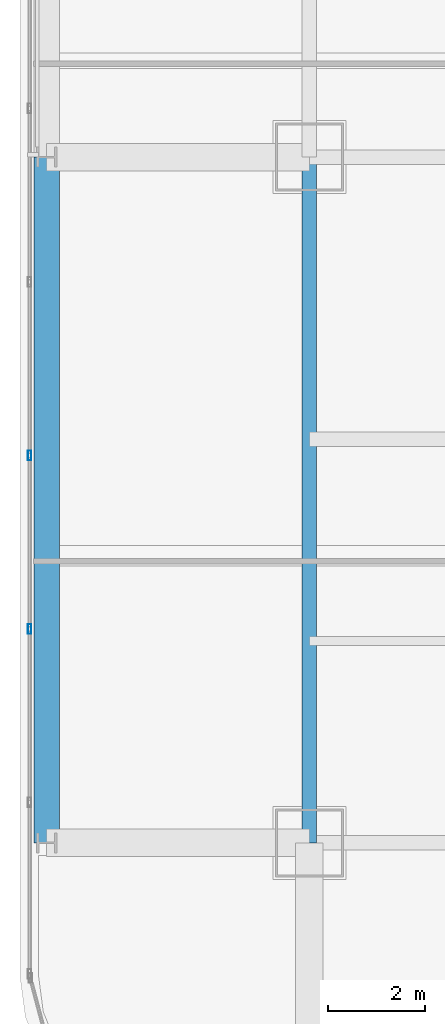
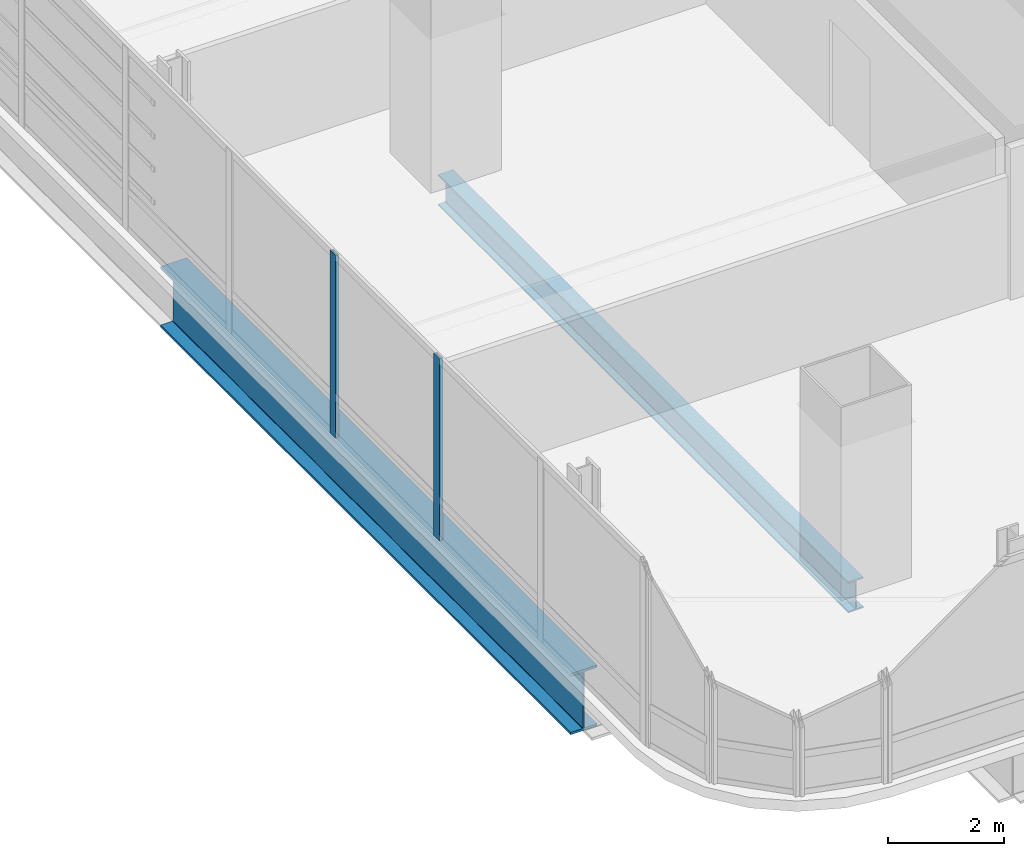
# One storey, part 4 of 36: 2 beams, 2 members, 1 element without a shape of its own.
"""IFC4 building model written with IfcOpenShell, lengths in metres."""

from ifc_helpers import new_model, si_unit, direction, frame, origin, origin_2d, place, context, subcontext, project, spatial, hollow_rectangle, i_section, extrude, material, material_profile, profile_set, type_object, element, aggregate, save


model = new_model("IFC4")

# Units and contexts
model_context = context("Model", 3, precision=1e-05, world=origin(), true_north=direction((0.0, 1.0)))
body_context = subcontext(model_context, "Body", "Model", "MODEL_VIEW")
ifc_project = project(units=[si_unit("LENGTHUNIT", "METRE"), si_unit("AREAUNIT", "SQUARE_METRE"), si_unit("VOLUMEUNIT", "CUBIC_METRE"), si_unit("PLANEANGLEUNIT", "RADIAN"), si_unit("MASSUNIT", "GRAM", prefix="KILO")], contexts=[model_context])

# Site, building, storey
site_placement = place(None, origin())
site = spatial("IfcSite", under=ifc_project, at=site_placement, CompositionType="ELEMENT")
building_placement = place(site_placement, origin())
building = spatial("IfcBuilding", under=site, at=building_placement, Name="Punatoya Terracotta Tower", CompositionType="ELEMENT")
storey_placement = place(building_placement, frame((0.0, 0.0, 180.300048828125)))
storey = spatial("IfcBuildingStorey", under=building, at=storey_placement, Name="L42", CompositionType="ELEMENT", Elevation=180.300048828125)

# Beams
ifc_material_1 = material(Name="Steel S355", Category="steel")
ifc_material_profile_1 = material_profile(ifc_material_1, i_section(OverallWidth=0.300048828125, OverallDepth=0.64990234375, WebThickness=0.01611328125, FlangeThickness=0.031005859375, FilletRadius=0.01806640625, at=origin_2d()))
ifc_profile_set_1 = profile_set([ifc_material_profile_1], Name="Steel S355")
beam_type_1 = type_object("IfcBeamType", Name="BM-PRI-650", PredefinedType="BEAM", material=ifc_profile_set_1)
beam_1_placement = place(storey_placement, frame((-19.10009765625, -17.5, -0.545166015625), z_axis=(0.0, 1.0, 0.0), x_axis=(-1.0, 0.0, 0.0)))
element("IfcBeam", 1, at=beam_1_placement, inside=storey, type_object=beam_type_1, Name="BM-L42-RG-W1", PredefinedType="BEAM", context=body_context, shape_type="SweptSolid", body=[
    extrude(i_section(OverallWidth=0.300048828125, OverallDepth=0.64990234375, WebThickness=0.01611328125, FlangeThickness=0.031005859375, FilletRadius=0.01806640625, at=origin_2d()), origin(), (0.0, 0.0, 1.0), 14.10009765625),
])
ifc_material_2 = material(Name="Steel S460", Category="steel")
ifc_material_profile_2 = material_profile(ifc_material_2, i_section(OverallWidth=0.52001953125, OverallDepth=1.280029296875, WebThickness=0.031982421875, FlangeThickness=0.050048828125, FilletRadius=0.01806640625, at=origin_2d()))
ifc_profile_set_2 = profile_set([ifc_material_profile_2], Name="Steel S460")
beam_type_2 = type_object("IfcBeamType", Name="BM-TG-NCK", PredefinedType="BEAM", material=ifc_profile_set_2)
beam_2_placement = place(storey_placement, frame((-24.5, -17.5, -0.860107421875), z_axis=(0.0, 1.0, 0.0), x_axis=(-1.0, 0.0, 0.0)))
element("IfcBeam", 2, at=beam_2_placement, inside=storey, type_object=beam_type_2, Name="BM-L42-PER-W1", PredefinedType="BEAM", context=body_context, shape_type="SweptSolid", body=[
    extrude(i_section(OverallWidth=0.52001953125, OverallDepth=1.280029296875, WebThickness=0.031982421875, FlangeThickness=0.050048828125, FilletRadius=0.01806640625, at=origin_2d()), origin(), (0.0, 0.0, 1.0), 14.10009765625),
])

# Curtain wall, members
ifc_material_3 = material(Name="Aluminium 6063-T6 + Double Low-E Glass", Category="aluminium")
curtain_wall_type = type_object("IfcCurtainWallType", Name="CW-M2", PredefinedType="NOTDEFINED", material=ifc_material_3)
curtain_wall_placement = place(storey_placement, origin())
curtain_wall = element("IfcCurtainWall", 3, at=curtain_wall_placement, inside=storey, type_object=curtain_wall_type, Name="L42 Curtain Wall CW-L42-W13-1", PredefinedType="NOTDEFINED")
ifc_material_4 = material(Name="Aluminium 6063-T6", Category="aluminium")
ifc_material_profile_3 = material_profile(ifc_material_4, hollow_rectangle(XDim=0.072021484375, YDim=0.195068359375, WallThickness=0.00439453125, at=origin_2d()))
ifc_profile_set_3 = profile_set([ifc_material_profile_3], Name="Aluminium 6063-T6")
member_type = type_object("IfcMemberType", Name="CW-MUL-M2", PredefinedType="MULLION", material=ifc_profile_set_3)
member_1_placement = place(storey_placement, frame((-24.85009765625, -9.534912109375, 0.0), z_axis=(0.0, 0.0, 1.0), x_axis=(1.0, 0.0, 0.0)))
member_1 = element("IfcMember", 4, at=member_1_placement, type_object=member_type, Name="CW-L42-W13-1 Mullion 07", PredefinedType="MULLION", context=body_context, shape_type="SweptSolid", body=[
    extrude(hollow_rectangle(XDim=0.072021484375, YDim=0.195068359375, WallThickness=0.00439453125, at=origin_2d()), origin(), (0.0, 0.0, 1.0), 3.829833984375),
])
member_2_placement = place(storey_placement, frame((-24.85009765625, -13.10205078125, 0.0), z_axis=(0.0, 0.0, 1.0), x_axis=(1.0, 0.0, 0.0)))
member_2 = element("IfcMember", 5, at=member_2_placement, type_object=member_type, Name="CW-L42-W13-1 Mullion 08", PredefinedType="MULLION", context=body_context, shape_type="SweptSolid", body=[
    extrude(hollow_rectangle(XDim=0.072021484375, YDim=0.195068359375, WallThickness=0.00439453125, at=origin_2d()), origin(), (0.0, 0.0, 1.0), 3.829833984375),
])
aggregate(curtain_wall, [member_1, member_2])

save(model, "model.ifc")
